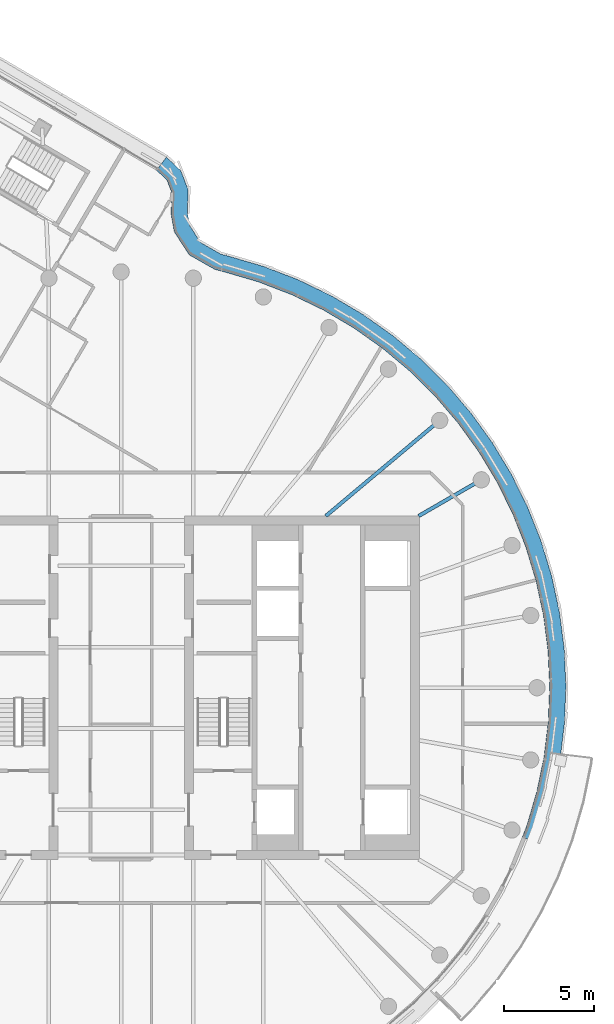
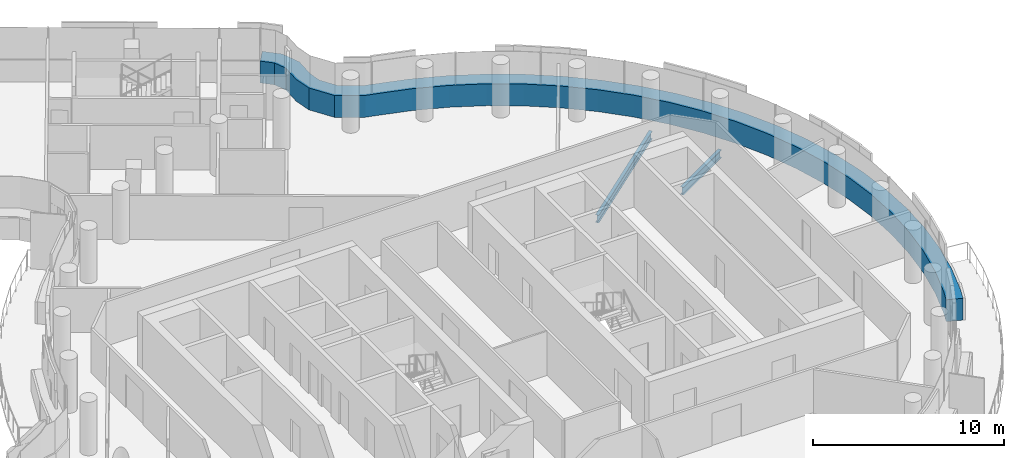
# One storey, part 12 of 26: 2 beams, 1 member, 1 element without a shape of its own.
"""IFC4 building model written with IfcOpenShell, lengths in metres."""

from ifc_helpers import new_model, si_unit, direction, frame, origin, origin_2d, place, context, subcontext, project, spatial, polyline, i_section, outline, extrude, material, layer, layer_set, material_profile, profile_set, type_object, element, aggregate, save


model = new_model("IFC4")

# Units and contexts
model_context = context("Model", 3, precision=1e-05, world=origin(), true_north=direction((0.0, 1.0)))
body_context = subcontext(model_context, "Body", "Model", "MODEL_VIEW")
ifc_project = project(units=[si_unit("LENGTHUNIT", "METRE"), si_unit("AREAUNIT", "SQUARE_METRE"), si_unit("VOLUMEUNIT", "CUBIC_METRE"), si_unit("PLANEANGLEUNIT", "RADIAN"), si_unit("MASSUNIT", "GRAM", prefix="KILO")], contexts=[model_context])

# Site, building, storey
site_placement = place(None, origin())
site = spatial("IfcSite", under=ifc_project, at=site_placement, CompositionType="ELEMENT")
building_placement = place(site_placement, origin())
building = spatial("IfcBuilding", under=site, at=building_placement, Name="Tamarind Cross Interchange Tower", CompositionType="ELEMENT")
storey_placement = place(building_placement, frame((0.0, 0.0, 248.699951171875)))
storey = spatial("IfcBuildingStorey", under=building, at=storey_placement, Name="L63", CompositionType="ELEMENT", Elevation=248.699951171875)

# Beams
ifc_material_1 = material(Name="Steel Q355B", Category="steel")
ifc_material_profile = material_profile(ifc_material_1, i_section(OverallWidth=0.198974609375, OverallDepth=0.49609375, WebThickness=0.009033203125, FlangeThickness=0.013916015625, FilletRadius=0.012939453125, at=origin_2d()), Name="HN 496x199x9x14")
ifc_profile_set = profile_set([ifc_material_profile], Name="Steel Q355B")
beam_type = type_object("IfcBeamType", Name="Composite beam HN 496x199x9x14 Q355B", PredefinedType="BEAM", material=ifc_profile_set)
beam_1_placement = place(storey_placement, frame((19.918701171875, 11.5, -0.387939453125), z_axis=(-0.866026010844, -0.49999894854, 0.0), x_axis=(0.49999894854, -0.866026010844, 0.0)))
element("IfcBeam", 1, at=beam_1_placement, inside=storey, type_object=beam_type, Name="Beam HH03", PredefinedType="BEAM", context=body_context, shape_type="SweptSolid", body=[
    extrude(i_section(OverallWidth=0.198974609375, OverallDepth=0.49609375, WebThickness=0.009033203125, FlangeThickness=0.013916015625, FilletRadius=0.012939453125, at=origin_2d()), origin(), (0.0, 0.0, 1.0), 4.0),
])
beam_2_placement = place(storey_placement, frame((17.619140625, 14.7841796875, -0.387939453125), z_axis=(-0.766040580814, -0.642792212574, 0.0), x_axis=(0.642792212574, -0.766040580814, 0.0)))
element("IfcBeam", 2, at=beam_2_placement, inside=storey, type_object=beam_type, Name="Beam HH04", PredefinedType="BEAM", context=body_context, shape_type="SweptSolid", body=[
    extrude(i_section(OverallWidth=0.198974609375, OverallDepth=0.49609375, WebThickness=0.009033203125, FlangeThickness=0.013916015625, FilletRadius=0.012939453125, at=origin_2d()), origin(), (0.0, 0.0, 1.0), 8.220703125),
])

# Curtain wall, member
ifc_material_2 = material(Name="Aluminium 6063-T6", Category="aluminium")
ifc_layer = layer(ifc_material_2, 0.139892578125)
ifc_layer_set = layer_set([ifc_layer], Name="Aluminium 6063-T6")
curtain_wall_type = type_object("IfcCurtainWallType", Name="Hotel curtain wall, 4.5 m bays", PredefinedType="NOTDEFINED", material=ifc_layer_set)
curtain_wall_placement = place(storey_placement, origin())
curtain_wall = element("IfcCurtainWall", 3, at=curtain_wall_placement, inside=storey, type_object=curtain_wall_type, Name="CWS-L63-01", PredefinedType="NOTDEFINED")
ifc_material_3 = material(Name="Aluminium and insulated spandrel panel", Category="aluminium")
member_type = type_object("IfcMemberType", Name="Floor-edge blade transom", PredefinedType="USERDEFINED", material=ifc_material_3)
member_placement = place(storey_placement, origin())
member = element("IfcMember", 4, at=member_placement, type_object=member_type, Name="CWT-L63-01-1", ObjectType="TRANSOM", PredefinedType="USERDEFINED", context=body_context, shape_type="SweptSolid", body=[
    extrude(outline(polyline([(22.18798828125, -8.263427734375), (22.444580078125, -7.597412109375), (22.995361328125, -5.718017578125), (23.38916015625, -3.799560546875), (23.623046875, -1.855224609375), (23.695556640625, 0.10205078125), (23.606201171875, 2.058349609375), (23.35546875, 4.000732421875), (22.9453125, 5.915771484375), (22.37841796875, 7.790283203125), (21.65869140625, 9.61181640625), (20.791015625, 11.367431640625), (19.78125, 13.045654296875), (18.636474609375, 14.634521484375), (17.3642578125, 16.12353515625), (15.973388671875, 17.50244140625), (14.4736328125, 18.76171875), (12.874755859375, 19.892822265625), (11.188232421875, 20.88818359375), (9.425048828125, 21.74072265625), (7.597412109375, 22.444580078125), (5.709716796875, 22.997802734375), (5.173583984375, 23.140625), (3.7666015625, 23.9384765625), (2.940185546875, 25.214111328125), (2.75732421875, 26.22265625), (2.80126953125, 27.38623046875), (2.527587890625, 28.08642578125), (1.95849609375, 28.62060546875), (2.5009765625, 29.345458984375), (3.2919921875, 28.603271484375), (3.70751953125, 27.539306640625), (3.66015625, 26.286865234375), (3.79345703125, 25.55224609375), (4.402099609375, 24.61279296875), (5.516845703125, 23.98046875), (5.9521484375, 23.86474609375), (7.88623046875, 23.2978515625), (9.783203125, 22.567138671875), (11.613525390625, 21.68212890625), (13.3642578125, 20.64892578125), (15.023681640625, 19.474853515625), (16.580810546875, 18.167724609375), (18.0244140625, 16.736572265625), (19.344970703125, 15.19091796875), (20.533203125, 13.54150390625), (21.581298828125, 11.799560546875), (22.482177734375, 9.97705078125), (23.229248046875, 8.08642578125), (23.817626953125, 6.140625), (24.243408203125, 4.15283203125), (24.50341796875, 2.13671875), (24.59619140625, 0.10595703125), (24.52099609375, -1.925537109375), (24.2783203125, -3.944091796875), (23.86962890625, -5.935302734375), (23.2978515625, -7.88623046875), (23.031494140625, -8.57763671875), (22.18798828125, -8.263427734375)])), origin(), (0.0, 0.0, 1.0), 1.400146484375),
])
aggregate(curtain_wall, [member])

save(model, "model.ifc")
